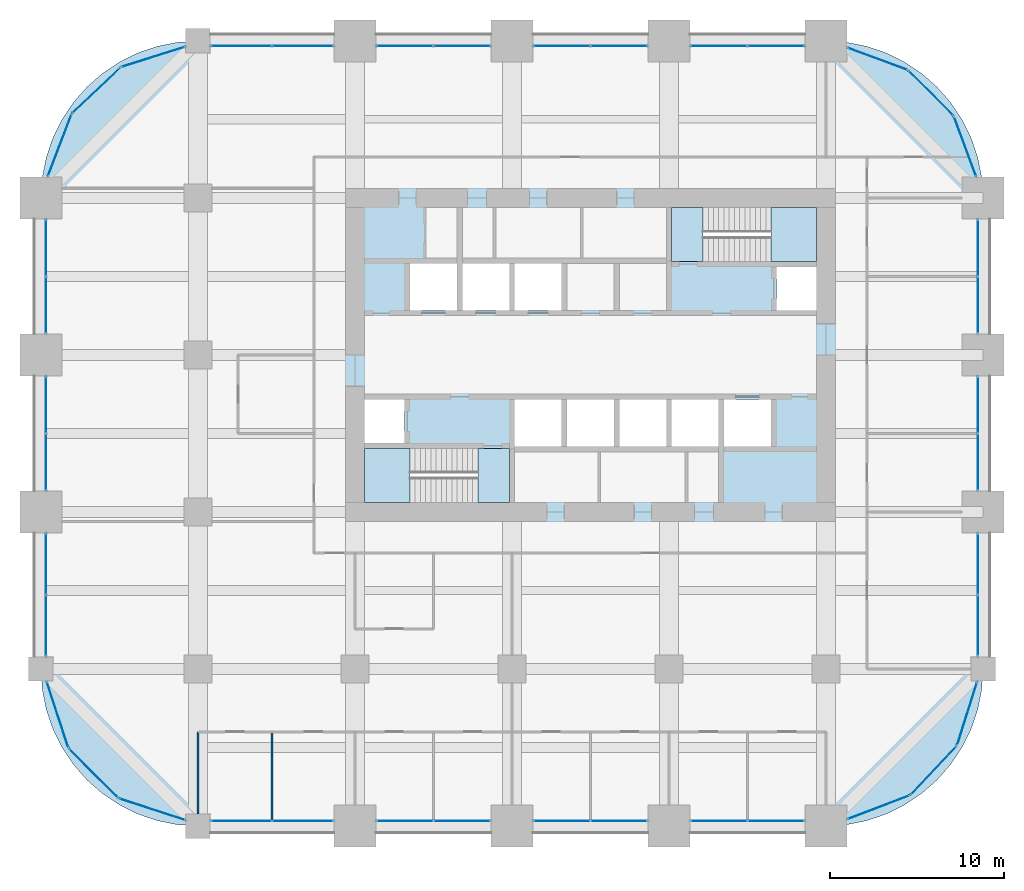
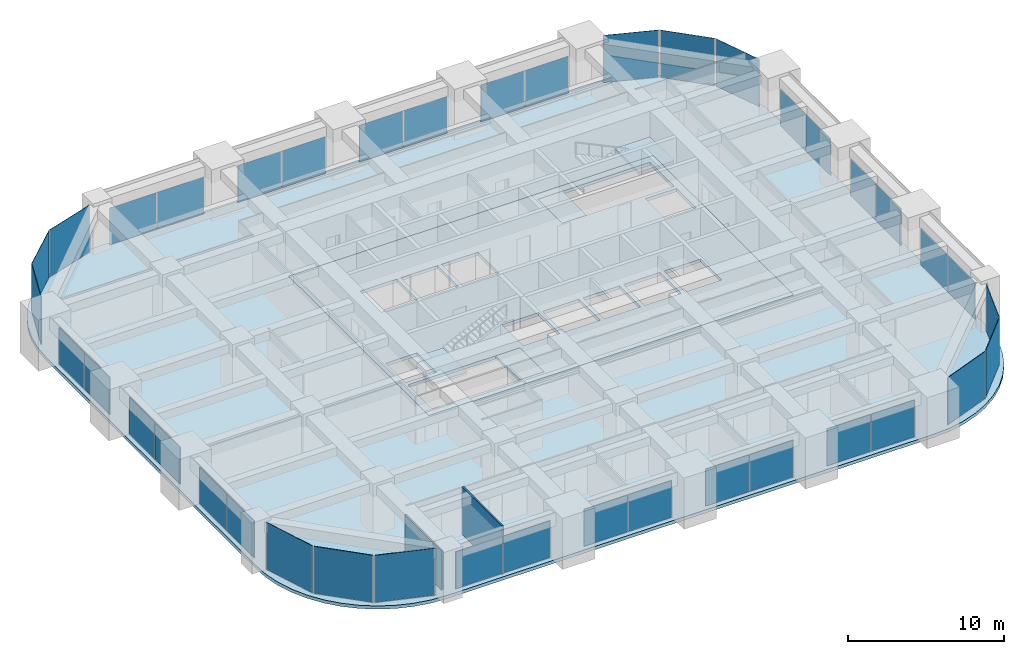
# One storey, part 28 of 32: 40 plates, 6 slabs, 2 walls, 28 elements without a shape of their own.
"""IFC4 building model written with IfcOpenShell, lengths in metres."""

from ifc_helpers import new_model, si_unit, direction, frame, frame_2d, origin, origin_2d, place, context, subcontext, project, spatial, polyline, rectangle, outline, extrude, material, layer, layer_set, type_object, element, aggregate, save


model = new_model("IFC4")

# Units and contexts
model_context = context("Model", 3, precision=1e-05, world=origin(), true_north=direction((0.0, 1.0)))
body_context = subcontext(model_context, "Body", "Model", "MODEL_VIEW")
ifc_project = project(units=[si_unit("LENGTHUNIT", "METRE"), si_unit("AREAUNIT", "SQUARE_METRE"), si_unit("VOLUMEUNIT", "CUBIC_METRE"), si_unit("PLANEANGLEUNIT", "RADIAN"), si_unit("MASSUNIT", "GRAM", prefix="KILO")], contexts=[model_context])

# Site, building, storey
site_placement = place(None, origin())
site = spatial("IfcSite", under=ifc_project, at=site_placement, CompositionType="ELEMENT")
building_placement = place(site_placement, origin())
building = spatial("IfcBuilding", under=site, at=building_placement, Name="Zorevar Civic Tower", CompositionType="ELEMENT")
storey_placement = place(building_placement, frame((0.0, 0.0, 182.199951171875)))
storey = spatial("IfcBuildingStorey", under=building, at=storey_placement, Name="L44", CompositionType="ELEMENT", Elevation=182.199951171875)

# Curtain wall, plates
ifc_material_1 = material(Name="Dark grey solar-control glass in black aluminium frame", Category="aluminium")
curtain_wall_type = type_object("IfcCurtainWallType", Name="Curtain wall CW4 high zone", PredefinedType="NOTDEFINED", material=ifc_material_1)
curtain_wall_1_placement = place(storey_placement, origin())
curtain_wall_1 = element("IfcCurtainWall", 1, at=curtain_wall_1_placement, inside=storey, type_object=curtain_wall_type, Name="CW4 L44", PredefinedType="NOTDEFINED")
ifc_material_2 = material(Name="Dark grey solar-control glass", Category="glass")
ifc_layer_1 = layer(ifc_material_2, 0.028076171875)
ifc_layer_set_1 = layer_set([ifc_layer_1], Name="CW4 panel 28")
plate_type = type_object("IfcPlateType", Name="CW4 panel 28", PredefinedType="CURTAIN_PANEL", material=ifc_layer_set_1)
plate_1_placement = place(storey_placement, frame((11.489990234375, 0.300048828125, 0.06005859375), z_axis=(0.0, 0.0, 1.0), x_axis=(1.0, 0.0, 0.0)))
plate_1 = element("IfcPlate", 2, at=plate_1_placement, type_object=plate_type, Name="CW4 panel 1.1", PredefinedType="CURTAIN_PANEL", context=body_context, shape_type="SweptSolid", body=[
    extrude(rectangle(XDim=3.4599609375, YDim=0.028076171875, at=origin_2d()), origin(), (0.0, 0.0, 1.0), 2.889892578125),
])
plate_2_placement = place(storey_placement, frame((15.010009765625, 0.300048828125, 0.06005859375), z_axis=(0.0, 0.0, 1.0), x_axis=(1.0, 0.0, 0.0)))
plate_2 = element("IfcPlate", 3, at=plate_2_placement, type_object=plate_type, Name="CW4 panel 2.1", PredefinedType="CURTAIN_PANEL", context=body_context, shape_type="SweptSolid", body=[
    extrude(rectangle(XDim=3.4599609375, YDim=0.028076171875, at=origin_2d()), origin(), (0.0, 0.0, 1.0), 2.889892578125),
])
aggregate(curtain_wall_1, [plate_1, plate_2])

curtain_wall_2_placement = place(storey_placement, origin())
curtain_wall_2 = element("IfcCurtainWall", 4, at=curtain_wall_2_placement, inside=storey, type_object=curtain_wall_type, Name="CW4 L44", PredefinedType="NOTDEFINED")
plate_3_placement = place(storey_placement, frame((11.489990234375, 44.699951171875, 0.06005859375), z_axis=(0.0, 0.0, 1.0), x_axis=(1.0, 0.0, 0.0)))
plate_3 = element("IfcPlate", 5, at=plate_3_placement, type_object=plate_type, Name="CW4 panel 1.1", PredefinedType="CURTAIN_PANEL", context=body_context, shape_type="SweptSolid", body=[
    extrude(rectangle(XDim=3.4599609375, YDim=0.028076171875, at=origin_2d()), origin(), (0.0, 0.0, 1.0), 2.889892578125),
])
plate_4_placement = place(storey_placement, frame((15.010009765625, 44.699951171875, 0.06005859375), z_axis=(0.0, 0.0, 1.0), x_axis=(1.0, 0.0, 0.0)))
plate_4 = element("IfcPlate", 6, at=plate_4_placement, type_object=plate_type, Name="CW4 panel 2.1", PredefinedType="CURTAIN_PANEL", context=body_context, shape_type="SweptSolid", body=[
    extrude(rectangle(XDim=3.4599609375, YDim=0.028076171875, at=origin_2d()), origin(), (0.0, 0.0, 1.0), 2.889892578125),
])
aggregate(curtain_wall_2, [plate_3, plate_4])

curtain_wall_3_placement = place(storey_placement, origin())
curtain_wall_3 = element("IfcCurtainWall", 7, at=curtain_wall_3_placement, inside=storey, type_object=curtain_wall_type, Name="CW4 L44", PredefinedType="NOTDEFINED")
plate_5_placement = place(storey_placement, frame((20.864990234375, 0.300048828125, 0.06005859375), z_axis=(0.0, 0.0, 1.0), x_axis=(1.0, 0.0, 0.0)))
plate_5 = element("IfcPlate", 8, at=plate_5_placement, type_object=plate_type, Name="CW4 panel 1.1", PredefinedType="CURTAIN_PANEL", context=body_context, shape_type="SweptSolid", body=[
    extrude(rectangle(XDim=3.2099609375, YDim=0.028076171875, at=origin_2d()), origin(), (0.0, 0.0, 1.0), 2.889892578125),
])
plate_6_placement = place(storey_placement, frame((24.135009765625, 0.300048828125, 0.06005859375), z_axis=(0.0, 0.0, 1.0), x_axis=(1.0, 0.0, 0.0)))
plate_6 = element("IfcPlate", 9, at=plate_6_placement, type_object=plate_type, Name="CW4 panel 2.1", PredefinedType="CURTAIN_PANEL", context=body_context, shape_type="SweptSolid", body=[
    extrude(rectangle(XDim=3.2099609375, YDim=0.028076171875, at=origin_2d()), origin(), (0.0, 0.0, 1.0), 2.889892578125),
])
aggregate(curtain_wall_3, [plate_5, plate_6])

curtain_wall_4_placement = place(storey_placement, origin())
curtain_wall_4 = element("IfcCurtainWall", 10, at=curtain_wall_4_placement, inside=storey, type_object=curtain_wall_type, Name="CW4 L44", PredefinedType="NOTDEFINED")
plate_7_placement = place(storey_placement, frame((20.864990234375, 44.699951171875, 0.06005859375), z_axis=(0.0, 0.0, 1.0), x_axis=(1.0, 0.0, 0.0)))
plate_7 = element("IfcPlate", 11, at=plate_7_placement, type_object=plate_type, Name="CW4 panel 1.1", PredefinedType="CURTAIN_PANEL", context=body_context, shape_type="SweptSolid", body=[
    extrude(rectangle(XDim=3.2099609375, YDim=0.028076171875, at=origin_2d()), origin(), (0.0, 0.0, 1.0), 2.889892578125),
])
plate_8_placement = place(storey_placement, frame((24.135009765625, 44.699951171875, 0.06005859375), z_axis=(0.0, 0.0, 1.0), x_axis=(1.0, 0.0, 0.0)))
plate_8 = element("IfcPlate", 12, at=plate_8_placement, type_object=plate_type, Name="CW4 panel 2.1", PredefinedType="CURTAIN_PANEL", context=body_context, shape_type="SweptSolid", body=[
    extrude(rectangle(XDim=3.2099609375, YDim=0.028076171875, at=origin_2d()), origin(), (0.0, 0.0, 1.0), 2.889892578125),
])
aggregate(curtain_wall_4, [plate_7, plate_8])

curtain_wall_5_placement = place(storey_placement, origin())
curtain_wall_5 = element("IfcCurtainWall", 13, at=curtain_wall_5_placement, inside=storey, type_object=curtain_wall_type, Name="CW4 L44", PredefinedType="NOTDEFINED")
plate_9_placement = place(storey_placement, frame((29.864990234375, 0.300048828125, 0.06005859375), z_axis=(0.0, 0.0, 1.0), x_axis=(1.0, 0.0, 0.0)))
plate_9 = element("IfcPlate", 14, at=plate_9_placement, type_object=plate_type, Name="CW4 panel 1.1", PredefinedType="CURTAIN_PANEL", context=body_context, shape_type="SweptSolid", body=[
    extrude(rectangle(XDim=3.2099609375, YDim=0.028076171875, at=origin_2d()), origin(), (0.0, 0.0, 1.0), 2.889892578125),
])
plate_10_placement = place(storey_placement, frame((33.135009765625, 0.300048828125, 0.06005859375), z_axis=(0.0, 0.0, 1.0), x_axis=(1.0, 0.0, 0.0)))
plate_10 = element("IfcPlate", 15, at=plate_10_placement, type_object=plate_type, Name="CW4 panel 2.1", PredefinedType="CURTAIN_PANEL", context=body_context, shape_type="SweptSolid", body=[
    extrude(rectangle(XDim=3.2099609375, YDim=0.028076171875, at=origin_2d()), origin(), (0.0, 0.0, 1.0), 2.889892578125),
])
aggregate(curtain_wall_5, [plate_9, plate_10])

curtain_wall_6_placement = place(storey_placement, origin())
curtain_wall_6 = element("IfcCurtainWall", 16, at=curtain_wall_6_placement, inside=storey, type_object=curtain_wall_type, Name="CW4 L44", PredefinedType="NOTDEFINED")
plate_11_placement = place(storey_placement, frame((29.864990234375, 44.699951171875, 0.06005859375), z_axis=(0.0, 0.0, 1.0), x_axis=(1.0, 0.0, 0.0)))
plate_11 = element("IfcPlate", 17, at=plate_11_placement, type_object=plate_type, Name="CW4 panel 1.1", PredefinedType="CURTAIN_PANEL", context=body_context, shape_type="SweptSolid", body=[
    extrude(rectangle(XDim=3.2099609375, YDim=0.028076171875, at=origin_2d()), origin(), (0.0, 0.0, 1.0), 2.889892578125),
])
plate_12_placement = place(storey_placement, frame((33.135009765625, 44.699951171875, 0.06005859375), z_axis=(0.0, 0.0, 1.0), x_axis=(1.0, 0.0, 0.0)))
plate_12 = element("IfcPlate", 18, at=plate_12_placement, type_object=plate_type, Name="CW4 panel 2.1", PredefinedType="CURTAIN_PANEL", context=body_context, shape_type="SweptSolid", body=[
    extrude(rectangle(XDim=3.2099609375, YDim=0.028076171875, at=origin_2d()), origin(), (0.0, 0.0, 1.0), 2.889892578125),
])
aggregate(curtain_wall_6, [plate_11, plate_12])

curtain_wall_7_placement = place(storey_placement, origin())
curtain_wall_7 = element("IfcCurtainWall", 19, at=curtain_wall_7_placement, inside=storey, type_object=curtain_wall_type, Name="CW4 L44", PredefinedType="NOTDEFINED")
plate_13_placement = place(storey_placement, frame((38.864990234375, 0.300048828125, 0.06005859375), z_axis=(0.0, 0.0, 1.0), x_axis=(1.0, 0.0, 0.0)))
plate_13 = element("IfcPlate", 20, at=plate_13_placement, type_object=plate_type, Name="CW4 panel 1.1", PredefinedType="CURTAIN_PANEL", context=body_context, shape_type="SweptSolid", body=[
    extrude(rectangle(XDim=3.2099609375, YDim=0.028076171875, at=origin_2d()), origin(), (0.0, 0.0, 1.0), 2.889892578125),
])
plate_14_placement = place(storey_placement, frame((42.135009765625, 0.300048828125, 0.06005859375), z_axis=(0.0, 0.0, 1.0), x_axis=(1.0, 0.0, 0.0)))
plate_14 = element("IfcPlate", 21, at=plate_14_placement, type_object=plate_type, Name="CW4 panel 2.1", PredefinedType="CURTAIN_PANEL", context=body_context, shape_type="SweptSolid", body=[
    extrude(rectangle(XDim=3.2099609375, YDim=0.028076171875, at=origin_2d()), origin(), (0.0, 0.0, 1.0), 2.889892578125),
])
aggregate(curtain_wall_7, [plate_13, plate_14])

curtain_wall_8_placement = place(storey_placement, origin())
curtain_wall_8 = element("IfcCurtainWall", 22, at=curtain_wall_8_placement, inside=storey, type_object=curtain_wall_type, Name="CW4 L44", PredefinedType="NOTDEFINED")
plate_15_placement = place(storey_placement, frame((38.864990234375, 44.699951171875, 0.06005859375), z_axis=(0.0, 0.0, 1.0), x_axis=(1.0, 0.0, 0.0)))
plate_15 = element("IfcPlate", 23, at=plate_15_placement, type_object=plate_type, Name="CW4 panel 1.1", PredefinedType="CURTAIN_PANEL", context=body_context, shape_type="SweptSolid", body=[
    extrude(rectangle(XDim=3.2099609375, YDim=0.028076171875, at=origin_2d()), origin(), (0.0, 0.0, 1.0), 2.889892578125),
])
plate_16_placement = place(storey_placement, frame((42.135009765625, 44.699951171875, 0.06005859375), z_axis=(0.0, 0.0, 1.0), x_axis=(1.0, 0.0, 0.0)))
plate_16 = element("IfcPlate", 24, at=plate_16_placement, type_object=plate_type, Name="CW4 panel 2.1", PredefinedType="CURTAIN_PANEL", context=body_context, shape_type="SweptSolid", body=[
    extrude(rectangle(XDim=3.2099609375, YDim=0.028076171875, at=origin_2d()), origin(), (0.0, 0.0, 1.0), 2.889892578125),
])
aggregate(curtain_wall_8, [plate_15, plate_16])

curtain_wall_9_placement = place(storey_placement, origin())
curtain_wall_9 = element("IfcCurtainWall", 25, at=curtain_wall_9_placement, inside=storey, type_object=curtain_wall_type, Name="CW4 L44", PredefinedType="NOTDEFINED")
plate_17_placement = place(storey_placement, frame((0.300048828125, 11.489990234375, 0.06005859375), z_axis=(0.0, 0.0, 1.0), x_axis=(0.0, 1.0, 0.0)))
plate_17 = element("IfcPlate", 26, at=plate_17_placement, type_object=plate_type, Name="CW4 panel 1.1", PredefinedType="CURTAIN_PANEL", context=body_context, shape_type="SweptSolid", body=[
    extrude(rectangle(XDim=3.4599609375, YDim=0.028076171875, at=origin_2d()), origin(), (0.0, 0.0, 1.0), 2.889892578125),
])
plate_18_placement = place(storey_placement, frame((0.300048828125, 15.010009765625, 0.06005859375), z_axis=(0.0, 0.0, 1.0), x_axis=(0.0, 1.0, 0.0)))
plate_18 = element("IfcPlate", 27, at=plate_18_placement, type_object=plate_type, Name="CW4 panel 2.1", PredefinedType="CURTAIN_PANEL", context=body_context, shape_type="SweptSolid", body=[
    extrude(rectangle(XDim=3.4599609375, YDim=0.028076171875, at=origin_2d()), origin(), (0.0, 0.0, 1.0), 2.889892578125),
])
aggregate(curtain_wall_9, [plate_17, plate_18])

curtain_wall_10_placement = place(storey_placement, origin())
curtain_wall_10 = element("IfcCurtainWall", 28, at=curtain_wall_10_placement, inside=storey, type_object=curtain_wall_type, Name="CW4 L44", PredefinedType="NOTDEFINED")
plate_19_placement = place(storey_placement, frame((53.699951171875, 11.489990234375, 0.06005859375), z_axis=(0.0, 0.0, 1.0), x_axis=(0.0, 1.0, 0.0)))
plate_19 = element("IfcPlate", 29, at=plate_19_placement, type_object=plate_type, Name="CW4 panel 1.1", PredefinedType="CURTAIN_PANEL", context=body_context, shape_type="SweptSolid", body=[
    extrude(rectangle(XDim=3.4599609375, YDim=0.028076171875, at=origin_2d()), origin(), (0.0, 0.0, 1.0), 2.889892578125),
])
plate_20_placement = place(storey_placement, frame((53.699951171875, 15.010009765625, 0.06005859375), z_axis=(0.0, 0.0, 1.0), x_axis=(0.0, 1.0, 0.0)))
plate_20 = element("IfcPlate", 30, at=plate_20_placement, type_object=plate_type, Name="CW4 panel 2.1", PredefinedType="CURTAIN_PANEL", context=body_context, shape_type="SweptSolid", body=[
    extrude(rectangle(XDim=3.4599609375, YDim=0.028076171875, at=origin_2d()), origin(), (0.0, 0.0, 1.0), 2.889892578125),
])
aggregate(curtain_wall_10, [plate_19, plate_20])

curtain_wall_11_placement = place(storey_placement, origin())
curtain_wall_11 = element("IfcCurtainWall", 31, at=curtain_wall_11_placement, inside=storey, type_object=curtain_wall_type, Name="CW4 L44", PredefinedType="NOTDEFINED")
plate_21_placement = place(storey_placement, frame((0.300048828125, 20.864990234375, 0.06005859375), z_axis=(0.0, 0.0, 1.0), x_axis=(0.0, 1.0, 0.0)))
plate_21 = element("IfcPlate", 32, at=plate_21_placement, type_object=plate_type, Name="CW4 panel 1.1", PredefinedType="CURTAIN_PANEL", context=body_context, shape_type="SweptSolid", body=[
    extrude(rectangle(XDim=3.2099609375, YDim=0.028076171875, at=origin_2d()), origin(), (0.0, 0.0, 1.0), 2.889892578125),
])
plate_22_placement = place(storey_placement, frame((0.300048828125, 24.135009765625, 0.06005859375), z_axis=(0.0, 0.0, 1.0), x_axis=(0.0, 1.0, 0.0)))
plate_22 = element("IfcPlate", 33, at=plate_22_placement, type_object=plate_type, Name="CW4 panel 2.1", PredefinedType="CURTAIN_PANEL", context=body_context, shape_type="SweptSolid", body=[
    extrude(rectangle(XDim=3.2099609375, YDim=0.028076171875, at=origin_2d()), origin(), (0.0, 0.0, 1.0), 2.889892578125),
])
aggregate(curtain_wall_11, [plate_21, plate_22])

curtain_wall_12_placement = place(storey_placement, origin())
curtain_wall_12 = element("IfcCurtainWall", 34, at=curtain_wall_12_placement, inside=storey, type_object=curtain_wall_type, Name="CW4 L44", PredefinedType="NOTDEFINED")
plate_23_placement = place(storey_placement, frame((53.699951171875, 20.864990234375, 0.06005859375), z_axis=(0.0, 0.0, 1.0), x_axis=(0.0, 1.0, 0.0)))
plate_23 = element("IfcPlate", 35, at=plate_23_placement, type_object=plate_type, Name="CW4 panel 1.1", PredefinedType="CURTAIN_PANEL", context=body_context, shape_type="SweptSolid", body=[
    extrude(rectangle(XDim=3.2099609375, YDim=0.028076171875, at=origin_2d()), origin(), (0.0, 0.0, 1.0), 2.889892578125),
])
plate_24_placement = place(storey_placement, frame((53.699951171875, 24.135009765625, 0.06005859375), z_axis=(0.0, 0.0, 1.0), x_axis=(0.0, 1.0, 0.0)))
plate_24 = element("IfcPlate", 36, at=plate_24_placement, type_object=plate_type, Name="CW4 panel 2.1", PredefinedType="CURTAIN_PANEL", context=body_context, shape_type="SweptSolid", body=[
    extrude(rectangle(XDim=3.2099609375, YDim=0.028076171875, at=origin_2d()), origin(), (0.0, 0.0, 1.0), 2.889892578125),
])
aggregate(curtain_wall_12, [plate_23, plate_24])

curtain_wall_13_placement = place(storey_placement, origin())
curtain_wall_13 = element("IfcCurtainWall", 37, at=curtain_wall_13_placement, inside=storey, type_object=curtain_wall_type, Name="CW4 L44", PredefinedType="NOTDEFINED")
plate_25_placement = place(storey_placement, frame((0.300048828125, 29.864990234375, 0.06005859375), z_axis=(0.0, 0.0, 1.0), x_axis=(0.0, 1.0, 0.0)))
plate_25 = element("IfcPlate", 38, at=plate_25_placement, type_object=plate_type, Name="CW4 panel 1.1", PredefinedType="CURTAIN_PANEL", context=body_context, shape_type="SweptSolid", body=[
    extrude(rectangle(XDim=3.2099609375, YDim=0.028076171875, at=origin_2d()), origin(), (0.0, 0.0, 1.0), 2.889892578125),
])
plate_26_placement = place(storey_placement, frame((0.300048828125, 33.135009765625, 0.06005859375), z_axis=(0.0, 0.0, 1.0), x_axis=(0.0, 1.0, 0.0)))
plate_26 = element("IfcPlate", 39, at=plate_26_placement, type_object=plate_type, Name="CW4 panel 2.1", PredefinedType="CURTAIN_PANEL", context=body_context, shape_type="SweptSolid", body=[
    extrude(rectangle(XDim=3.2099609375, YDim=0.028076171875, at=origin_2d()), origin(), (0.0, 0.0, 1.0), 2.889892578125),
])
aggregate(curtain_wall_13, [plate_25, plate_26])

curtain_wall_14_placement = place(storey_placement, origin())
curtain_wall_14 = element("IfcCurtainWall", 40, at=curtain_wall_14_placement, inside=storey, type_object=curtain_wall_type, Name="CW4 L44", PredefinedType="NOTDEFINED")
plate_27_placement = place(storey_placement, frame((53.699951171875, 29.864990234375, 0.06005859375), z_axis=(0.0, 0.0, 1.0), x_axis=(0.0, 1.0, 0.0)))
plate_27 = element("IfcPlate", 41, at=plate_27_placement, type_object=plate_type, Name="CW4 panel 1.1", PredefinedType="CURTAIN_PANEL", context=body_context, shape_type="SweptSolid", body=[
    extrude(rectangle(XDim=3.2099609375, YDim=0.028076171875, at=origin_2d()), origin(), (0.0, 0.0, 1.0), 2.889892578125),
])
plate_28_placement = place(storey_placement, frame((53.699951171875, 33.135009765625, 0.06005859375), z_axis=(0.0, 0.0, 1.0), x_axis=(0.0, 1.0, 0.0)))
plate_28 = element("IfcPlate", 42, at=plate_28_placement, type_object=plate_type, Name="CW4 panel 2.1", PredefinedType="CURTAIN_PANEL", context=body_context, shape_type="SweptSolid", body=[
    extrude(rectangle(XDim=3.2099609375, YDim=0.028076171875, at=origin_2d()), origin(), (0.0, 0.0, 1.0), 2.889892578125),
])
aggregate(curtain_wall_14, [plate_27, plate_28])

# Curtain wall, plate
curtain_wall_15_placement = place(storey_placement, origin())
curtain_wall_15 = element("IfcCurtainWall", 43, at=curtain_wall_15_placement, inside=storey, type_object=curtain_wall_type, Name="CW4 L44", PredefinedType="NOTDEFINED")
plate_29_placement = place(storey_placement, frame((48.0166015625, 1.07470703125, 0.06005859375), z_axis=(0.0, 0.0, 1.0), x_axis=(0.93458842801, 0.355730895803, 0.0)))
plate_29 = element("IfcPlate", 44, at=plate_29_placement, type_object=plate_type, Name="CW4 panel 1.1", PredefinedType="CURTAIN_PANEL", context=body_context, shape_type="SweptSolid", body=[
    extrude(rectangle(XDim=3.767333984375, YDim=0.028076171875, at=origin_2d()), origin(), (0.0, 0.0, 1.0), 3.68994140625),
])
aggregate(curtain_wall_15, [plate_29])

curtain_wall_16_placement = place(storey_placement, origin())
curtain_wall_16 = element("IfcCurtainWall", 45, at=curtain_wall_16_placement, inside=storey, type_object=curtain_wall_type, Name="CW4 L44", PredefinedType="NOTDEFINED")
plate_30_placement = place(storey_placement, frame((51.167236328125, 3.179443359375, 0.06005859375), z_axis=(0.0, 0.0, 1.0), x_axis=(0.686377907265, 0.727245053898, 0.0)))
plate_30 = element("IfcPlate", 46, at=plate_30_placement, type_object=plate_type, Name="CW4 panel 1.1", PredefinedType="CURTAIN_PANEL", context=body_context, shape_type="SweptSolid", body=[
    extrude(rectangle(XDim=3.767333984375, YDim=0.028076171875, at=origin_2d()), origin(), (0.0, 0.0, 1.0), 3.68994140625),
])
aggregate(curtain_wall_16, [plate_30])

curtain_wall_17_placement = place(storey_placement, origin())
curtain_wall_17 = element("IfcCurtainWall", 47, at=curtain_wall_17_placement, inside=storey, type_object=curtain_wall_type, Name="CW4 L44", PredefinedType="NOTDEFINED")
plate_31_placement = place(storey_placement, frame((53.08642578125, 6.446533203125, 0.06005859375), z_axis=(0.0, 0.0, 1.0), x_axis=(0.301108296077, 0.953589950678, 0.0)))
plate_31 = element("IfcPlate", 48, at=plate_31_placement, type_object=plate_type, Name="CW4 panel 1.1", PredefinedType="CURTAIN_PANEL", context=body_context, shape_type="SweptSolid", body=[
    extrude(rectangle(XDim=3.767333984375, YDim=0.028076171875, at=origin_2d()), origin(), (0.0, 0.0, 1.0), 3.68994140625),
])
aggregate(curtain_wall_17, [plate_31])

curtain_wall_18_placement = place(storey_placement, origin())
curtain_wall_18 = element("IfcCurtainWall", 49, at=curtain_wall_18_placement, inside=storey, type_object=curtain_wall_type, Name="CW4 L44", PredefinedType="NOTDEFINED")
plate_32_placement = place(storey_placement, frame((52.97119140625, 38.9462890625, 0.06005859375), z_axis=(0.0, 0.0, 1.0), x_axis=(-0.346704012033, 0.937974588163, 0.0)))
plate_32 = element("IfcPlate", 50, at=plate_32_placement, type_object=plate_type, Name="CW4 panel 1.1", PredefinedType="CURTAIN_PANEL", context=body_context, shape_type="SweptSolid", body=[
    extrude(rectangle(XDim=3.603759765625, YDim=0.028076171875, at=origin_2d()), origin(), (0.0, 0.0, 1.0), 3.68994140625),
])
aggregate(curtain_wall_18, [plate_32])

curtain_wall_19_placement = place(storey_placement, origin())
curtain_wall_19 = element("IfcCurtainWall", 51, at=curtain_wall_19_placement, inside=storey, type_object=curtain_wall_type, Name="CW4 L44", PredefinedType="NOTDEFINED")
plate_33_placement = place(storey_placement, frame((51.00927734375, 42.00927734375, 0.06005859375), z_axis=(0.0, 0.0, 1.0), x_axis=(-0.707106781187, 0.707106781187, 0.0)))
plate_33 = element("IfcPlate", 52, at=plate_33_placement, type_object=plate_type, Name="CW4 panel 1.1", PredefinedType="CURTAIN_PANEL", context=body_context, shape_type="SweptSolid", body=[
    extrude(rectangle(XDim=3.603759765625, YDim=0.028076171875, at=origin_2d()), origin(), (0.0, 0.0, 1.0), 3.68994140625),
])
aggregate(curtain_wall_19, [plate_33])

curtain_wall_20_placement = place(storey_placement, origin())
curtain_wall_20 = element("IfcCurtainWall", 53, at=curtain_wall_20_placement, inside=storey, type_object=curtain_wall_type, Name="CW4 L44", PredefinedType="NOTDEFINED")
plate_34_placement = place(storey_placement, frame((47.9462890625, 43.97119140625, 0.06005859375), z_axis=(0.0, 0.0, 1.0), x_axis=(-0.937974588163, 0.346704012033, 0.0)))
plate_34 = element("IfcPlate", 54, at=plate_34_placement, type_object=plate_type, Name="CW4 panel 1.1", PredefinedType="CURTAIN_PANEL", context=body_context, shape_type="SweptSolid", body=[
    extrude(rectangle(XDim=3.603759765625, YDim=0.028076171875, at=origin_2d()), origin(), (0.0, 0.0, 1.0), 3.68994140625),
])
aggregate(curtain_wall_20, [plate_34])

curtain_wall_21_placement = place(storey_placement, origin())
curtain_wall_21 = element("IfcCurtainWall", 55, at=curtain_wall_21_placement, inside=storey, type_object=curtain_wall_type, Name="CW4 L44", PredefinedType="NOTDEFINED")
plate_35_placement = place(storey_placement, frame((6.446533203125, 44.08642578125, 0.06005859375), z_axis=(0.0, 0.0, 1.0), x_axis=(-0.953589950678, -0.301108296077, 0.0)))
plate_35 = element("IfcPlate", 56, at=plate_35_placement, type_object=plate_type, Name="CW4 panel 1.1", PredefinedType="CURTAIN_PANEL", context=body_context, shape_type="SweptSolid", body=[
    extrude(rectangle(XDim=3.767333984375, YDim=0.028076171875, at=origin_2d()), origin(), (0.0, 0.0, 1.0), 3.68994140625),
])
aggregate(curtain_wall_21, [plate_35])

curtain_wall_22_placement = place(storey_placement, origin())
curtain_wall_22 = element("IfcCurtainWall", 57, at=curtain_wall_22_placement, inside=storey, type_object=curtain_wall_type, Name="CW4 L44", PredefinedType="NOTDEFINED")
plate_36_placement = place(storey_placement, frame((3.179443359375, 42.167236328125, 0.06005859375), z_axis=(0.0, 0.0, 1.0), x_axis=(-0.727245053898, -0.686377907265, 0.0)))
plate_36 = element("IfcPlate", 58, at=plate_36_placement, type_object=plate_type, Name="CW4 panel 1.1", PredefinedType="CURTAIN_PANEL", context=body_context, shape_type="SweptSolid", body=[
    extrude(rectangle(XDim=3.767333984375, YDim=0.028076171875, at=origin_2d()), origin(), (0.0, 0.0, 1.0), 3.68994140625),
])
aggregate(curtain_wall_22, [plate_36])

curtain_wall_23_placement = place(storey_placement, origin())
curtain_wall_23 = element("IfcCurtainWall", 59, at=curtain_wall_23_placement, inside=storey, type_object=curtain_wall_type, Name="CW4 L44", PredefinedType="NOTDEFINED")
plate_37_placement = place(storey_placement, frame((1.07470703125, 39.0166015625, 0.06005859375), z_axis=(0.0, 0.0, 1.0), x_axis=(-0.355730895803, -0.93458842801, 0.0)))
plate_37 = element("IfcPlate", 60, at=plate_37_placement, type_object=plate_type, Name="CW4 panel 1.1", PredefinedType="CURTAIN_PANEL", context=body_context, shape_type="SweptSolid", body=[
    extrude(rectangle(XDim=3.767333984375, YDim=0.028076171875, at=origin_2d()), origin(), (0.0, 0.0, 1.0), 3.68994140625),
])
aggregate(curtain_wall_23, [plate_37])

curtain_wall_24_placement = place(storey_placement, origin())
curtain_wall_24 = element("IfcCurtainWall", 61, at=curtain_wall_24_placement, inside=storey, type_object=curtain_wall_type, Name="CW4 L44", PredefinedType="NOTDEFINED")
plate_38_placement = place(storey_placement, frame((0.956787109375, 6.374755859375, 0.06005859375), z_axis=(0.0, 0.0, 1.0), x_axis=(0.310281419775, -0.950644749916, 0.0)))
plate_38 = element("IfcPlate", 62, at=plate_38_placement, type_object=plate_type, Name="CW4 panel 1.1", PredefinedType="CURTAIN_PANEL", context=body_context, shape_type="SweptSolid", body=[
    extrude(rectangle(XDim=3.9306640625, YDim=0.028076171875, at=origin_2d()), origin(), (0.0, 0.0, 1.0), 3.68994140625),
])
aggregate(curtain_wall_24, [plate_38])

curtain_wall_25_placement = place(storey_placement, origin())
curtain_wall_25 = element("IfcCurtainWall", 63, at=curtain_wall_25_placement, inside=storey, type_object=curtain_wall_type, Name="CW4 L44", PredefinedType="NOTDEFINED")
plate_39_placement = place(storey_placement, frame((3.01708984375, 3.01708984375, 0.06005859375), z_axis=(0.0, 0.0, 1.0), x_axis=(0.707106781187, -0.707106781187, 0.0)))
plate_39 = element("IfcPlate", 64, at=plate_39_placement, type_object=plate_type, Name="CW4 panel 1.1", PredefinedType="CURTAIN_PANEL", context=body_context, shape_type="SweptSolid", body=[
    extrude(rectangle(XDim=3.9306640625, YDim=0.028076171875, at=origin_2d()), origin(), (0.0, 0.0, 1.0), 3.68994140625),
])
aggregate(curtain_wall_25, [plate_39])

curtain_wall_26_placement = place(storey_placement, origin())
curtain_wall_26 = element("IfcCurtainWall", 65, at=curtain_wall_26_placement, inside=storey, type_object=curtain_wall_type, Name="CW4 L44", PredefinedType="NOTDEFINED")
plate_40_placement = place(storey_placement, frame((6.374755859375, 0.956787109375, 0.06005859375), z_axis=(0.0, 0.0, 1.0), x_axis=(0.950644749916, -0.310281419775, 0.0)))
plate_40 = element("IfcPlate", 66, at=plate_40_placement, type_object=plate_type, Name="CW4 panel 1.1", PredefinedType="CURTAIN_PANEL", context=body_context, shape_type="SweptSolid", body=[
    extrude(rectangle(XDim=3.9306640625, YDim=0.028076171875, at=origin_2d()), origin(), (0.0, 0.0, 1.0), 3.68994140625),
])
aggregate(curtain_wall_26, [plate_40])

# Slabs
ifc_material_3 = material(Name="Concrete C40/50", Category="concrete")
ifc_layer_2 = layer(ifc_material_3, 0.25)
ifc_layer_set_2 = layer_set([ifc_layer_2], Name="Floor slab 250")
slab_type_1 = type_object("IfcSlabType", Name="Floor slab 250", PredefinedType="FLOOR", material=ifc_layer_set_2)
slab_1_placement = place(storey_placement, frame((0.0, 0.0, -0.25)))
element("IfcSlab", 67, at=slab_1_placement, inside=storey, type_object=slab_type_1, Name="Floor slab L44", PredefinedType="FLOOR", context=body_context, shape_type="SweptSolid", body=[
    extrude(outline(polyline([(45.0, 0.0), (46.1748046875, 0.076904296875), (47.329345703125, 0.306640625), (48.444091796875, 0.68505859375), (49.5, 1.205810546875), (50.478759765625, 1.85986328125), (51.364013671875, 2.635986328125), (52.14013671875, 3.521240234375), (52.794189453125, 4.5), (53.31494140625, 5.555908203125), (53.693359375, 6.670654296875), (53.923095703125, 7.8251953125), (54.0, 9.0), (54.0, 36.0), (53.923095703125, 37.1748046875), (53.693359375, 38.329345703125), (53.31494140625, 39.444091796875), (52.794189453125, 40.5), (52.14013671875, 41.478759765625), (51.364013671875, 42.364013671875), (50.478759765625, 43.14013671875), (49.5, 43.794189453125), (48.444091796875, 44.31494140625), (47.329345703125, 44.693359375), (46.1748046875, 44.923095703125), (45.0, 45.0), (9.0, 45.0), (7.8251953125, 44.923095703125), (6.670654296875, 44.693359375), (5.555908203125, 44.31494140625), (4.5, 43.794189453125), (3.521240234375, 43.14013671875), (2.635986328125, 42.364013671875), (1.85986328125, 41.478759765625), (1.205810546875, 40.5), (0.68505859375, 39.444091796875), (0.306640625, 38.329345703125), (0.076904296875, 37.1748046875), (0.0, 36.0), (0.0, 9.0), (0.076904296875, 7.8251953125), (0.306640625, 6.670654296875), (0.68505859375, 5.555908203125), (1.205810546875, 4.5), (1.85986328125, 3.521240234375), (2.635986328125, 2.635986328125), (3.521240234375, 1.85986328125), (4.5, 1.205810546875), (5.555908203125, 0.68505859375), (6.670654296875, 0.306640625), (7.8251953125, 0.076904296875), (9.0, 0.0), (45.0, 0.0)]), holes=[polyline([(18.0, 18.0), (45.0, 18.0), (45.0, 36.0), (18.0, 36.0), (18.0, 18.0)])]), origin(), (0.0, 0.0, 1.0), 0.25),
])
slab_2_placement = place(storey_placement, frame((0.0, 0.0, -0.25)))
element("IfcSlab", 68, at=slab_2_placement, inside=storey, type_object=slab_type_1, Name="Core floor L44", PredefinedType="FLOOR", context=body_context, shape_type="SweptSolid", body=[
    extrude(outline(polyline([(18.0, 18.0), (45.0, 18.0), (45.0, 36.0), (18.0, 36.0), (18.0, 18.0)]), holes=[polyline([(18.550048828125, 18.550048828125), (26.85009765625, 18.550048828125), (26.85009765625, 21.64990234375), (18.550048828125, 21.64990234375), (18.550048828125, 18.550048828125)]), polyline([(36.14990234375, 32.35009765625), (44.449951171875, 32.35009765625), (44.449951171875, 35.449951171875), (36.14990234375, 35.449951171875), (36.14990234375, 32.35009765625)]), polyline([(18.550048828125, 21.949951171875), (20.85009765625, 21.949951171875), (20.85009765625, 24.449951171875), (18.550048828125, 24.449951171875), (18.550048828125, 21.949951171875)]), polyline([(42.14990234375, 29.550048828125), (44.449951171875, 29.550048828125), (44.449951171875, 32.050048828125), (42.14990234375, 32.050048828125), (42.14990234375, 29.550048828125)]), polyline([(27.14990234375, 21.75), (29.85009765625, 21.75), (29.85009765625, 24.449951171875), (27.14990234375, 24.449951171875), (27.14990234375, 21.75)]), polyline([(30.14990234375, 21.75), (32.85009765625, 21.75), (32.85009765625, 24.449951171875), (30.14990234375, 24.449951171875), (30.14990234375, 21.75)]), polyline([(33.14990234375, 21.75), (35.85009765625, 21.75), (35.85009765625, 24.449951171875), (33.14990234375, 24.449951171875), (33.14990234375, 21.75)]), polyline([(27.14990234375, 29.550048828125), (29.85009765625, 29.550048828125), (29.85009765625, 32.25), (27.14990234375, 32.25), (27.14990234375, 29.550048828125)]), polyline([(36.14990234375, 21.75), (38.85009765625, 21.75), (38.85009765625, 24.449951171875), (36.14990234375, 24.449951171875), (36.14990234375, 21.75)]), polyline([(24.14990234375, 29.550048828125), (26.85009765625, 29.550048828125), (26.85009765625, 32.25), (24.14990234375, 32.25), (24.14990234375, 29.550048828125)]), polyline([(39.14990234375, 21.75), (41.85009765625, 21.75), (41.85009765625, 24.449951171875), (39.14990234375, 24.449951171875), (39.14990234375, 21.75)]), polyline([(21.14990234375, 29.550048828125), (23.85009765625, 29.550048828125), (23.85009765625, 32.25), (21.14990234375, 32.25), (21.14990234375, 29.550048828125)])]), origin(), (0.0, 0.0, 1.0), 0.25),
])

# Stair, slabs
ifc_material_4 = material(Name="Precast concrete C40/50", Category="concrete")
stair_type = type_object("IfcStairType", Name="Stair ST 28R", PredefinedType="HALF_TURN_STAIR", material=ifc_material_4)
stair_1_placement = place(storey_placement, origin())
stair_1 = element("IfcStair", 69, at=stair_1_placement, inside=storey, type_object=stair_type, Name="Stair ST1 L44", PredefinedType="HALF_TURN_STAIR")
ifc_material_5 = material(Name="Concrete C40/50", Category="concrete")
ifc_layer_3 = layer(ifc_material_5, 0.199951171875)
ifc_layer_set_3 = layer_set([ifc_layer_3], Name="Stair landing 200")
slab_type_2 = type_object("IfcSlabType", Name="Stair landing 200", PredefinedType="LANDING", material=ifc_layer_set_3)
slab_3_placement = place(storey_placement, frame((0.0, 0.0, -0.199951171875)))
slab_3 = element("IfcSlab", 70, at=slab_3_placement, type_object=slab_type_2, Name="ST1 landing 1", PredefinedType="LANDING", context=body_context, shape_type="SweptSolid", body=[
    extrude(outline(polyline([(25.050048828125, 18.550048828125), (26.85009765625, 18.550048828125), (26.85009765625, 21.64990234375), (25.050048828125, 21.64990234375), (25.050048828125, 18.550048828125)])), origin(), (0.0, 0.0, 1.0), 0.199951171875),
])
slab_4_placement = place(storey_placement, frame((0.0, 0.0, 1.800048828125)))
slab_4 = element("IfcSlab", 71, at=slab_4_placement, type_object=slab_type_2, Name="ST1 landing 2", PredefinedType="LANDING", context=body_context, shape_type="SweptSolid", body=[
    extrude(outline(polyline([(18.550048828125, 18.550048828125), (21.14990234375, 18.550048828125), (21.14990234375, 21.64990234375), (18.550048828125, 21.64990234375), (18.550048828125, 18.550048828125)])), origin(), (0.0, 0.0, 1.0), 0.199951171875),
])
aggregate(stair_1, [slab_3, slab_4])

stair_2_placement = place(storey_placement, origin())
stair_2 = element("IfcStair", 72, at=stair_2_placement, inside=storey, type_object=stair_type, Name="Stair ST2 L44", PredefinedType="HALF_TURN_STAIR")
slab_5_placement = place(storey_placement, frame((0.0, 0.0, -0.199951171875)))
slab_5 = element("IfcSlab", 73, at=slab_5_placement, type_object=slab_type_2, Name="ST2 landing 1", PredefinedType="LANDING", context=body_context, shape_type="SweptSolid", body=[
    extrude(outline(polyline([(37.949951171875, 32.35009765625), (36.14990234375, 32.35009765625), (36.14990234375, 35.449951171875), (37.949951171875, 35.449951171875), (37.949951171875, 32.35009765625)])), origin(), (0.0, 0.0, 1.0), 0.199951171875),
])
slab_6_placement = place(storey_placement, frame((0.0, 0.0, 1.800048828125)))
slab_6 = element("IfcSlab", 74, at=slab_6_placement, type_object=slab_type_2, Name="ST2 landing 2", PredefinedType="LANDING", context=body_context, shape_type="SweptSolid", body=[
    extrude(outline(polyline([(44.449951171875, 32.35009765625), (41.85009765625, 32.35009765625), (41.85009765625, 35.449951171875), (44.449951171875, 35.449951171875), (44.449951171875, 32.35009765625)])), origin(), (0.0, 0.0, 1.0), 0.199951171875),
])
aggregate(stair_2, [slab_5, slab_6])

# Walls
ifc_material_6 = material(Name="Gypsum board on steel studs", Category="steel")
ifc_layer_4 = layer(ifc_material_6, 0.1201171875)
ifc_layer_set_4 = layer_set([ifc_layer_4], Name="Partition 120")
wall_type = type_object("IfcWallType", Name="Partition 120", PredefinedType="PARTITIONING", material=ifc_layer_set_4)
wall_1_placement = place(storey_placement, frame((9.0, 0.699951171875, 0.0), z_axis=(0.0, 0.0, 1.0), x_axis=(0.0, 1.0, 0.0)))
element("IfcWall", 75, at=wall_1_placement, inside=storey, type_object=wall_type, Name="Partition 120 L44", PredefinedType="PARTITIONING", context=body_context, shape_type="SweptSolid", body=[
    extrude(rectangle(XDim=4.699951171875, YDim=0.1201171875, at=frame_2d((2.35009765625, 0.0))), origin(), (0.0, 0.0, 1.0), 3.050048828125),
])
wall_2_placement = place(storey_placement, frame((13.25, 0.31005859375, 0.0), z_axis=(0.0, 0.0, 1.0), x_axis=(0.0, 1.0, 0.0)))
element("IfcWall", 76, at=wall_2_placement, inside=storey, type_object=wall_type, Name="Partition 120 L44", PredefinedType="PARTITIONING", context=body_context, shape_type="SweptSolid", body=[
    extrude(rectangle(XDim=5.08984375, YDim=0.1201171875, at=frame_2d((2.544921875, 0.0))), origin(), (0.0, 0.0, 1.0), 3.75),
])

save(model, "model.ifc")
